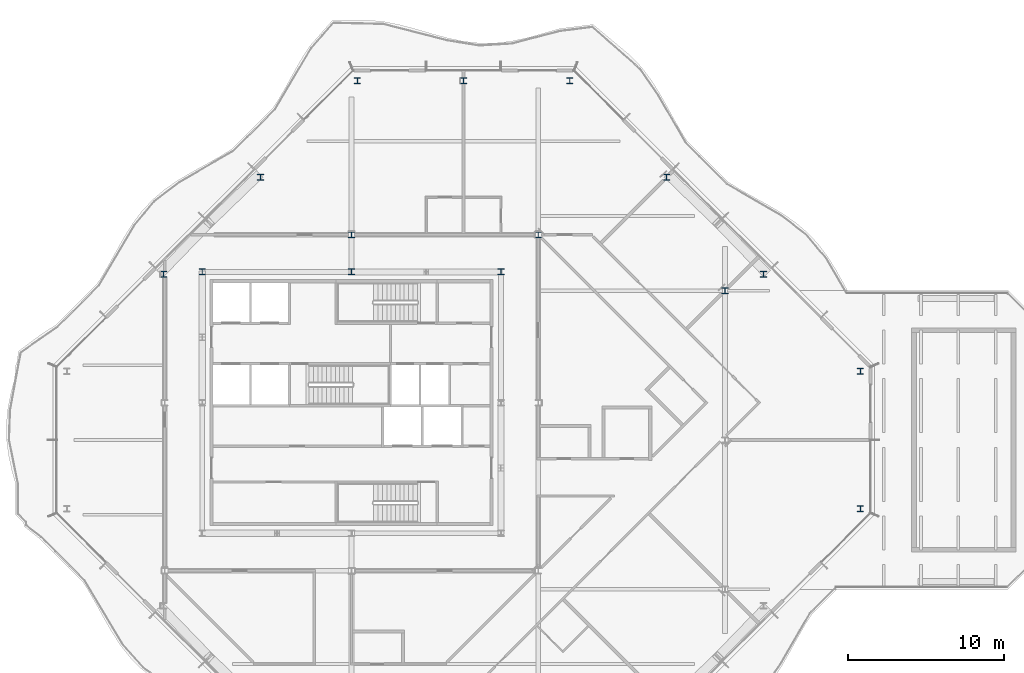
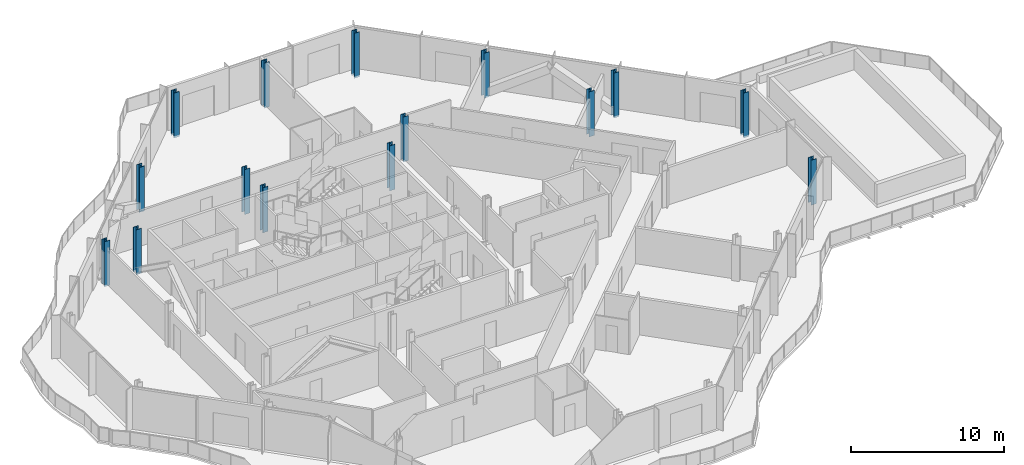
# One storey, part 2 of 16: 15 columns.
"""IFC4 building model written with IfcOpenShell, lengths in metres."""

from ifc_helpers import new_model, si_unit, direction, frame, origin, origin_2d, place, context, subcontext, project, spatial, i_section, extrude, material, material_profile, profile_set, type_object, element, save


model = new_model("IFC4")

# Units and contexts
model_context = context("Model", 3, precision=1e-05, world=origin(), true_north=direction((0.0, 1.0)))
body_context = subcontext(model_context, "Body", "Model", "MODEL_VIEW")
ifc_project = project(units=[si_unit("LENGTHUNIT", "METRE"), si_unit("AREAUNIT", "SQUARE_METRE"), si_unit("VOLUMEUNIT", "CUBIC_METRE"), si_unit("PLANEANGLEUNIT", "RADIAN"), si_unit("MASSUNIT", "GRAM", prefix="KILO")], contexts=[model_context])

# Site, building, storey
site_placement = place(None, origin())
site = spatial("IfcSite", under=ifc_project, at=site_placement, CompositionType="ELEMENT")
building_placement = place(site_placement, origin())
building = spatial("IfcBuilding", under=site, at=building_placement, Name="Cairn Pilgrim Tower", CompositionType="ELEMENT")
storey_placement = place(building_placement, frame((0.0, 0.0, 267.0)))
storey = spatial("IfcBuildingStorey", under=building, at=storey_placement, Name="L68", CompositionType="ELEMENT", Elevation=267.0)

# Columns
ifc_material = material(Name="Structural steel S355J2", Category="steel")
ifc_material_profile_1 = material_profile(ifc_material, i_section(OverallWidth=0.39404296875, OverallDepth=0.375, WebThickness=0.017333984375, FlangeThickness=0.027587890625, FilletRadius=0.014892578125, at=origin_2d()), Name="HD 400x216")
ifc_profile_set_1 = profile_set([ifc_material_profile_1], Name="Structural steel S355J2")
column_type_1 = type_object("IfcColumnType", Name="HD 400x216", PredefinedType="COLUMN", material=ifc_profile_set_1)
for number, where, z_axis, x_axis, name in (
    (1, (7.199951171875, 13.199951171875, -0.14990234375), (0.0, 0.0, 1.0), (1.0, 0.0, 0.0), "IC-7"),
    (2, (19.199951171875, 13.199951171875, -0.14990234375), (0.0, 0.0, 1.0), (1.0, 0.0, 0.0), "IC-8"),
    (3, (31.199951171875, 9.60009765625, -0.14990234375), (0.0, 0.0, 1.0), (1.0, 0.0, 0.0), "WC-WE+2"),
):
    element("IfcColumn", number, at=place(storey_placement, frame(where, z_axis=z_axis, x_axis=x_axis)), inside=storey, type_object=column_type_1, Name=name, PredefinedType="COLUMN", context=body_context, shape_type="SweptSolid", body=[
        extrude(i_section(OverallWidth=0.39404296875, OverallDepth=0.375, WebThickness=0.017333984375, FlangeThickness=0.027587890625, FilletRadius=0.014892578125, at=origin_2d()), origin(), (0.0, 0.0, 1.0), 3.599853515625),
    ])
ifc_material_profile_2 = material_profile(ifc_material, i_section(OverallWidth=0.39794921875, OverallDepth=0.386962890625, WebThickness=0.02099609375, FlangeThickness=0.033203125, FilletRadius=0.014892578125, at=origin_2d()), Name="HD 400x262")
ifc_profile_set_2 = profile_set([ifc_material_profile_2], Name="Structural steel S355J2")
column_type_2 = type_object("IfcColumnType", Name="HD 400x262", PredefinedType="COLUMN", material=ifc_profile_set_2)
for number, where, z_axis, x_axis, name in (
    (4, (-2.39990234375, 10.800048828125, -0.14990234375), (0.0, 0.0, 1.0), (1.0, 0.0, 0.0), "KC-6"),
    (5, (7.199951171875, 10.800048828125, -0.14990234375), (0.0, 0.0, 1.0), (1.0, 0.0, 0.0), "KC-7"),
    (6, (16.800048828125, 10.800048828125, -0.14990234375), (0.0, 0.0, 1.0), (1.0, 0.0, 0.0), "KC-8"),
):
    element("IfcColumn", number, at=place(storey_placement, frame(where, z_axis=z_axis, x_axis=x_axis)), inside=storey, type_object=column_type_2, Name=name, PredefinedType="COLUMN", context=body_context, shape_type="SweptSolid", body=[
        extrude(i_section(OverallWidth=0.39794921875, OverallDepth=0.386962890625, WebThickness=0.02099609375, FlangeThickness=0.033203125, FilletRadius=0.014892578125, at=origin_2d()), origin(), (0.0, 0.0, 1.0), 3.599853515625),
    ])
ifc_material_profile_3 = material_profile(ifc_material, i_section(OverallWidth=0.39892578125, OverallDepth=0.39306640625, WebThickness=0.022705078125, FlangeThickness=0.03662109375, FilletRadius=0.014892578125, at=origin_2d()), Name="HD 400x287")
ifc_profile_set_3 = profile_set([ifc_material_profile_3], Name="Structural steel S355J2")
column_type_3 = type_object("IfcColumnType", Name="HD 400x287", PredefinedType="COLUMN", material=ifc_profile_set_3)
for number, where, z_axis, x_axis, name in (
    (7, (39.89990234375, -4.42724609375, -0.14990234375), (0.0, 0.0, 1.0), (1.0, 0.0, 0.0), "PC4-E1"),
    (8, (39.89990234375, 4.42724609375, -0.14990234375), (0.0, 0.0, 1.0), (1.0, 0.0, 0.0), "PC4-NE1"),
    (9, (33.67578125, 10.651611328125, -0.14990234375), (0.0, 0.0, 1.0), (1.0, 0.0, 0.0), "PC4-NE2"),
    (10, (27.451416015625, 16.875732421875, -0.14990234375), (0.0, 0.0, 1.0), (1.0, 0.0, 0.0), "PC4-NE3"),
    (11, (21.227294921875, 23.10009765625, -0.14990234375), (0.0, 0.0, 1.0), (1.0, 0.0, 0.0), "PC4-N1"),
    (12, (14.39990234375, 23.10009765625, -0.14990234375), (0.0, 0.0, 1.0), (1.0, 0.0, 0.0), "PC4-N2"),
    (13, (7.57275390625, 23.10009765625, -0.14990234375), (0.0, 0.0, 1.0), (1.0, 0.0, 0.0), "PC4-NW1"),
    (14, (1.348388671875, 16.875732421875, -0.14990234375), (0.0, 0.0, 1.0), (1.0, 0.0, 0.0), "PC4-NW2"),
    (15, (-4.875732421875, 10.651611328125, -0.14990234375), (0.0, 0.0, 1.0), (1.0, 0.0, 0.0), "PC4-NW3"),
):
    element("IfcColumn", number, at=place(storey_placement, frame(where, z_axis=z_axis, x_axis=x_axis)), inside=storey, type_object=column_type_3, Name=name, PredefinedType="COLUMN", context=body_context, shape_type="SweptSolid", body=[
        extrude(i_section(OverallWidth=0.39892578125, OverallDepth=0.39306640625, WebThickness=0.022705078125, FlangeThickness=0.03662109375, FilletRadius=0.014892578125, at=origin_2d()), origin(), (0.0, 0.0, 1.0), 3.599853515625),
    ])

save(model, "model.ifc")
